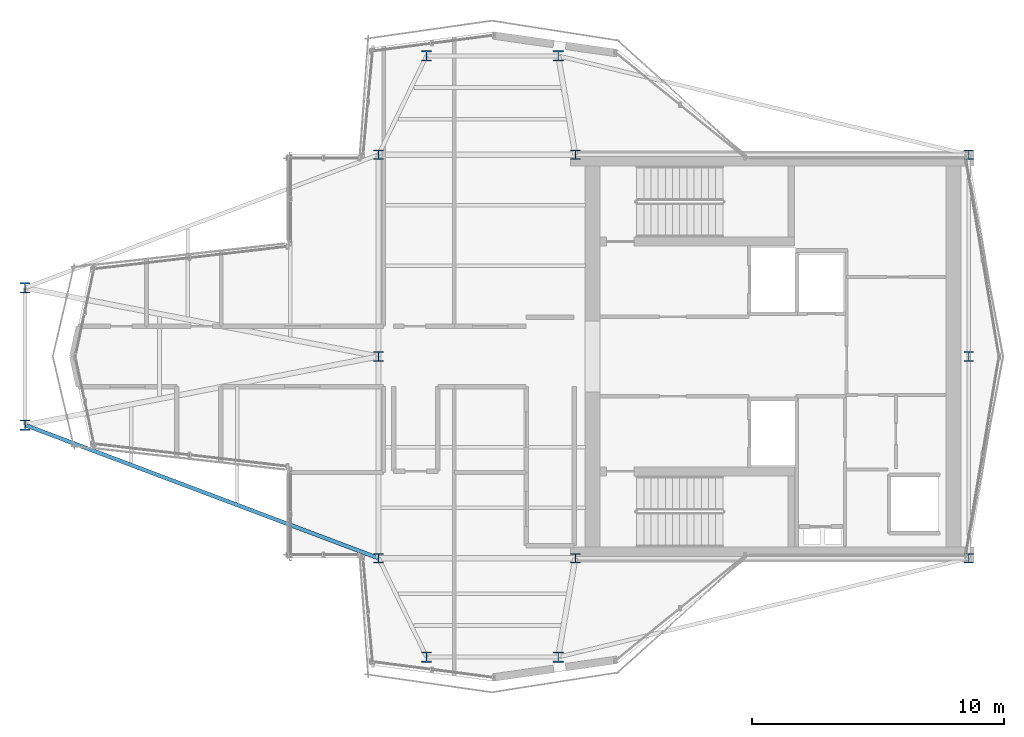
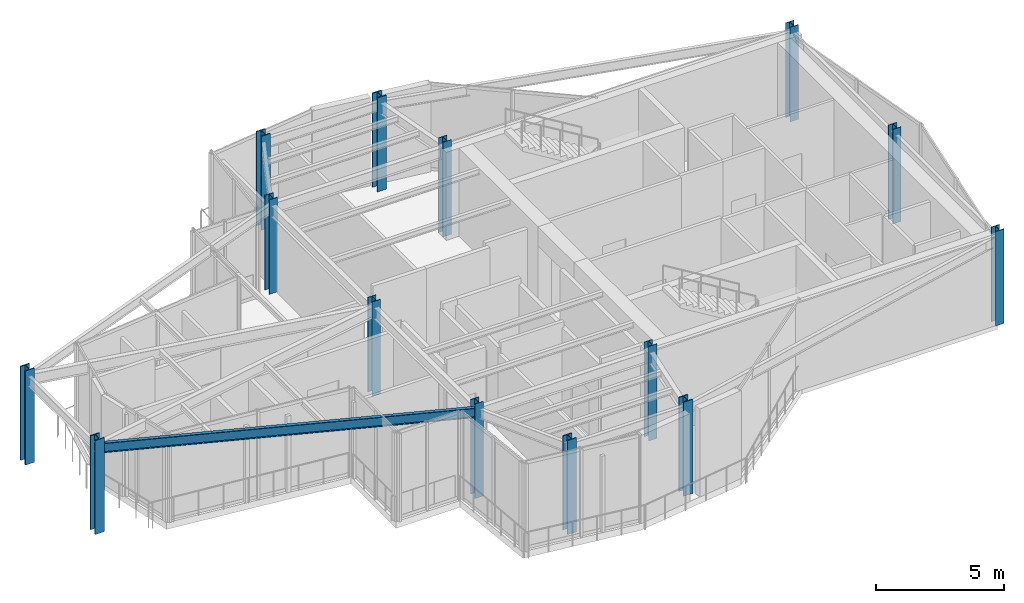
# One storey, part 1 of 14: 14 columns, 1 beam.
"""IFC4 building model written with IfcOpenShell, lengths in metres."""

from ifc_helpers import new_model, si_unit, direction, frame, origin, origin_2d, place, context, subcontext, project, spatial, i_section, extrude, material, material_profile, profile_set, type_object, element, save


model = new_model("IFC4")

# Units and contexts
model_context = context("Model", 3, precision=1e-05, world=origin(), true_north=direction((0.0, 1.0)))
body_context = subcontext(model_context, "Body", "Model", "MODEL_VIEW")
ifc_project = project(units=[si_unit("LENGTHUNIT", "METRE"), si_unit("AREAUNIT", "SQUARE_METRE"), si_unit("VOLUMEUNIT", "CUBIC_METRE"), si_unit("PLANEANGLEUNIT", "RADIAN"), si_unit("MASSUNIT", "GRAM", prefix="KILO")], contexts=[model_context])

# Site, building, storey
site_placement = place(None, origin())
site = spatial("IfcSite", under=ifc_project, at=site_placement, CompositionType="ELEMENT")
building_placement = place(site_placement, origin())
building = spatial("IfcBuilding", under=site, at=building_placement, Name="Veymaron Broadcast Tower", CompositionType="ELEMENT")
storey_placement = place(building_placement, frame((0.0, 0.0, 332.39990234375)))
storey = spatial("IfcBuildingStorey", under=building, at=storey_placement, Name="L78", CompositionType="ELEMENT", Elevation=332.39990234375)

# Columns
ifc_material_1 = material(Name="Structural steel ASTM A992 Gr 50", Category="steel")
ifc_material_profile_1 = material_profile(ifc_material_1, i_section(OverallWidth=0.373046875, OverallDepth=0.367919921875, WebThickness=0.014892578125, FlangeThickness=0.02392578125, at=origin_2d()), Name="W360X179")
ifc_profile_set_1 = profile_set([ifc_material_profile_1], Name="Structural steel ASTM A992 Gr 50")
column_type_1 = type_object("IfcColumnType", Name="COL-HC4", PredefinedType="COLUMN", material=ifc_profile_set_1)
for number, where, z_axis, x_axis, name in (
    (1, (31.199951171875, 16.0, 0.0), (0.0, 0.0, 1.0), (1.0, 0.0, 0.0), "L78 structural hub and core column"),
    (2, (31.199951171875, 24.0, 0.0), (0.0, 0.0, 1.0), (1.0, 0.0, 0.0), "L78 structural hub and core column"),
    (3, (31.199951171875, 32.0, 0.0), (0.0, 0.0, 1.0), (1.0, 0.0, 0.0), "L78 structural hub and core column"),
    (4, (39.0, 16.0, 0.0), (0.0, 0.0, 1.0), (1.0, 0.0, 0.0), "L78 structural hub and core column"),
    (5, (39.0, 32.0, 0.0), (0.0, 0.0, 1.0), (1.0, 0.0, 0.0), "L78 structural hub and core column"),
    (6, (54.60009765625, 16.0, 0.0), (0.0, 0.0, 1.0), (1.0, 0.0, 0.0), "L78 structural hub and core column"),
    (7, (54.60009765625, 24.0, 0.0), (0.0, 0.0, 1.0), (1.0, 0.0, 0.0), "L78 structural hub and core column"),
    (8, (54.60009765625, 32.0, 0.0), (0.0, 0.0, 1.0), (1.0, 0.0, 0.0), "L78 structural hub and core column"),
):
    element("IfcColumn", number, at=place(storey_placement, frame(where, z_axis=z_axis, x_axis=x_axis)), inside=storey, type_object=column_type_1, Name=name, PredefinedType="COLUMN", context=body_context, shape_type="SweptSolid", body=[
        extrude(i_section(OverallWidth=0.373046875, OverallDepth=0.367919921875, WebThickness=0.014892578125, FlangeThickness=0.02392578125, at=origin_2d()), origin(), (0.0, 0.0, 1.0), 4.494140625),
    ])
ifc_material_2 = material(Name="Structural steel ASTM A913 Gr 65", Category="steel")
ifc_material_profile_2 = material_profile(ifc_material_2, i_section(OverallWidth=0.406005859375, OverallDepth=0.416015625, WebThickness=0.02978515625, FlangeThickness=0.048095703125, at=origin_2d()), Name="W360X382")
ifc_profile_set_2 = profile_set([ifc_material_profile_2], Name="Structural steel ASTM A913 Gr 65")
column_type_2 = type_object("IfcColumnType", Name="COL-MC4", PredefinedType="COLUMN", material=ifc_profile_set_2)
for number, where, z_axis, x_axis, name in (
    (9, (17.18408203125, 21.280029296875, 0.01611328125), (0.0, 0.0, 1.0), (1.0, 0.0, 0.0), "L78 Tapered Wing Mega Column"),
    (10, (17.18408203125, 26.719970703125, 0.01611328125), (0.0, 0.0, 1.0), (1.0, 0.0, 0.0), "L78 Tapered Wing Mega Column"),
    (11, (33.10400390625, 35.919921875, 0.01611328125), (0.0, 0.0, 1.0), (1.0, 0.0, 0.0), "L78 Tapered Wing Mega Column"),
    (12, (38.320068359375, 35.919921875, 0.01611328125), (0.0, 0.0, 1.0), (1.0, 0.0, 0.0), "L78 Tapered Wing Mega Column"),
    (13, (33.10400390625, 12.080078125, 0.01611328125), (0.0, 0.0, 1.0), (1.0, 0.0, 0.0), "L78 Tapered Wing Mega Column"),
    (14, (38.320068359375, 12.080078125, 0.01611328125), (0.0, 0.0, 1.0), (1.0, 0.0, 0.0), "L78 Tapered Wing Mega Column"),
):
    element("IfcColumn", number, at=place(storey_placement, frame(where, z_axis=z_axis, x_axis=x_axis)), inside=storey, type_object=column_type_2, Name=name, PredefinedType="COLUMN", context=body_context, shape_type="SweptSolid", body=[
        extrude(i_section(OverallWidth=0.406005859375, OverallDepth=0.416015625, WebThickness=0.02978515625, FlangeThickness=0.048095703125, at=origin_2d()), origin(), (0.0, 0.0, 1.0), 4.468017578125),
    ])

# Beam
ifc_material_profile_3 = material_profile(ifc_material_1, i_section(OverallWidth=0.154052734375, OverallDepth=0.458984375, WebThickness=0.009033203125, FlangeThickness=0.015380859375, at=origin_2d()), Name="W460X68")
ifc_profile_set_3 = profile_set([ifc_material_profile_3], Name="Structural steel ASTM A992 Gr 50")
beam_type = type_object("IfcBeamType", Name="BM-SP2", PredefinedType="SPANDREL", material=ifc_profile_set_3)
beam_placement = place(storey_placement, frame((17.18408203125, 21.280029296875, 3.95068359375), z_axis=(0.935799576277, -0.352532485083, 0.0), x_axis=(0.352532485083, 0.935799576277, 0.0)))
element("IfcBeam", 15, at=beam_placement, inside=storey, type_object=beam_type, Name="L78 primary structural floor girder", PredefinedType="SPANDREL", context=body_context, shape_type="SweptSolid", body=[
    extrude(i_section(OverallWidth=0.154052734375, OverallDepth=0.458984375, WebThickness=0.009033203125, FlangeThickness=0.015380859375, at=origin_2d()), origin(), (0.0, 0.0, 1.0), 14.9775390625),
])

save(model, "model.ifc")
